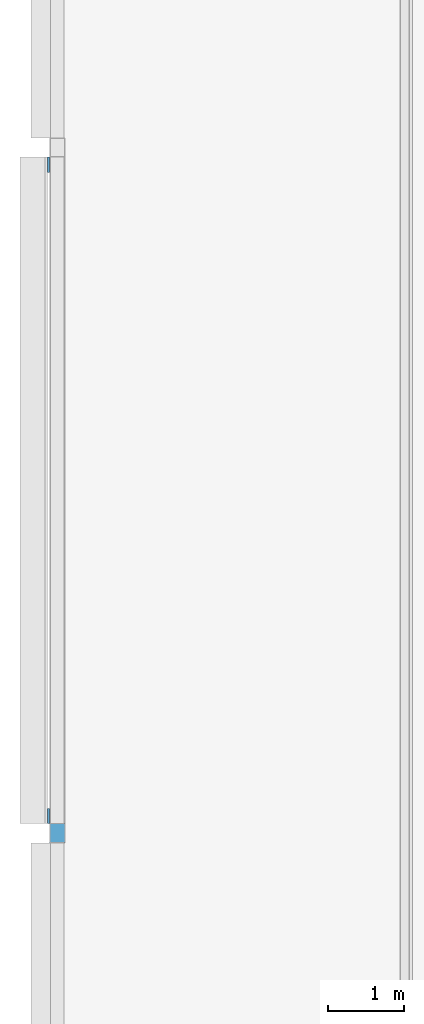
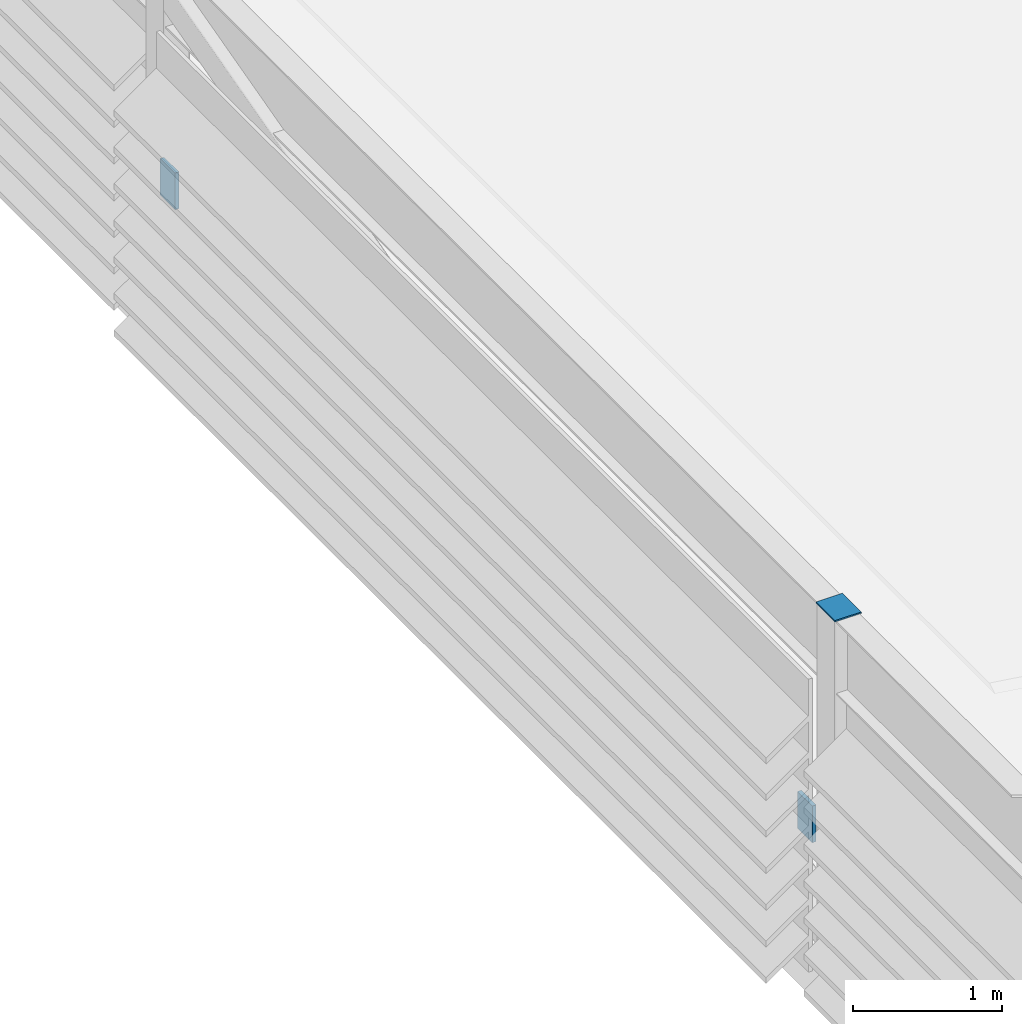
# One storey, part 28 of 46: 3 discrete accessories.
"""IFC4 building model written with IfcOpenShell, lengths in metres."""

from ifc_helpers import new_model, si_unit, direction, frame, origin, origin_2d, place, context, subcontext, project, spatial, rectangle, extrude, material, type_object, element, save


model = new_model("IFC4")

# Units and contexts
model_context = context("Model", 3, precision=1e-05, world=origin(), true_north=direction((0.0, 1.0)))
body_context = subcontext(model_context, "Body", "Model", "MODEL_VIEW")
ifc_project = project(units=[si_unit("LENGTHUNIT", "METRE"), si_unit("AREAUNIT", "SQUARE_METRE"), si_unit("VOLUMEUNIT", "CUBIC_METRE"), si_unit("PLANEANGLEUNIT", "RADIAN"), si_unit("MASSUNIT", "GRAM", prefix="KILO")], contexts=[model_context])

# Site, building, storey
site_placement = place(None, origin())
site = spatial("IfcSite", under=ifc_project, at=site_placement, CompositionType="ELEMENT")
building_placement = place(site_placement, origin())
building = spatial("IfcBuilding", under=site, at=building_placement, Name="Madar Terraces", CompositionType="ELEMENT")
storey_placement = place(building_placement, frame((0.0, 0.0, 317.300048828125)))
storey = spatial("IfcBuildingStorey", under=building, at=storey_placement, Name="L82", CompositionType="ELEMENT", Elevation=317.300048828125)

# Discrete accessories
ifc_material_1 = material(Name="Steel plate ASTM A36, galvanised", Category="steel")
discrete_accessory_type_1 = type_object("IfcDiscreteAccessoryType", Name="Hollow section end plate", PredefinedType="BRACKET", material=ifc_material_1)
discrete_accessory_placement = place(storey_placement, frame((1.199951171875, 24.0, 3.0), z_axis=(0.0, 0.0, 1.0), x_axis=(1.0, 0.0, 0.0)))
element("IfcDiscreteAccessory", 1, at=discrete_accessory_placement, inside=storey, type_object=discrete_accessory_type_1, Name="Hollow section end plate", PredefinedType="BRACKET", context=body_context, shape_type="SweptSolid", body=[
    extrude(rectangle(XDim=0.203125, YDim=0.25390625, at=origin_2d()), origin(), (0.0, 0.0, 1.0), 0.011962890625),
])
ifc_material_2 = material(Name="Steel, galvanised", Category="steel")
discrete_accessory_type_2 = type_object("IfcDiscreteAccessoryType", Name="Louvre bank bracket", PredefinedType="BRACKET", material=ifc_material_2)
for number, where, z_axis, x_axis, name in (
    (2, (1.08349609375, 32.77294921875, 1.048828125), (0.0, 0.0, 1.0), (0.0, -1.0, 0.0), "Louvre bank bracket"),
    (3, (1.08349609375, 24.22705078125, 1.048828125), (0.0, 0.0, 1.0), (0.0, -1.0, 0.0), "Louvre bank bracket"),
):
    element("IfcDiscreteAccessory", number, at=place(storey_placement, frame(where, z_axis=z_axis, x_axis=x_axis)), inside=storey, type_object=discrete_accessory_type_2, Name=name, PredefinedType="BRACKET", context=body_context, shape_type="SweptSolid", body=[
        extrude(rectangle(XDim=0.199951171875, YDim=0.030029296875, at=origin_2d()), origin(), (0.0, 0.0, 1.0), 0.300048828125),
    ])

save(model, "model.ifc")
